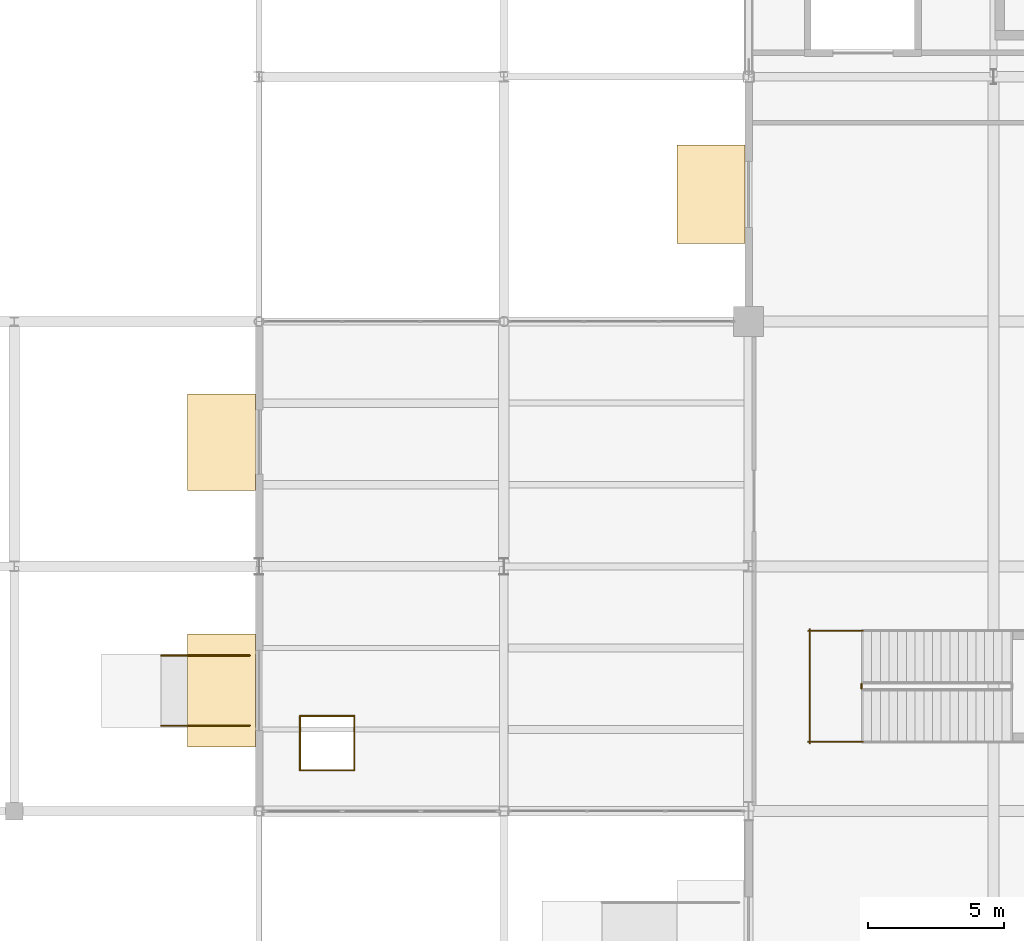
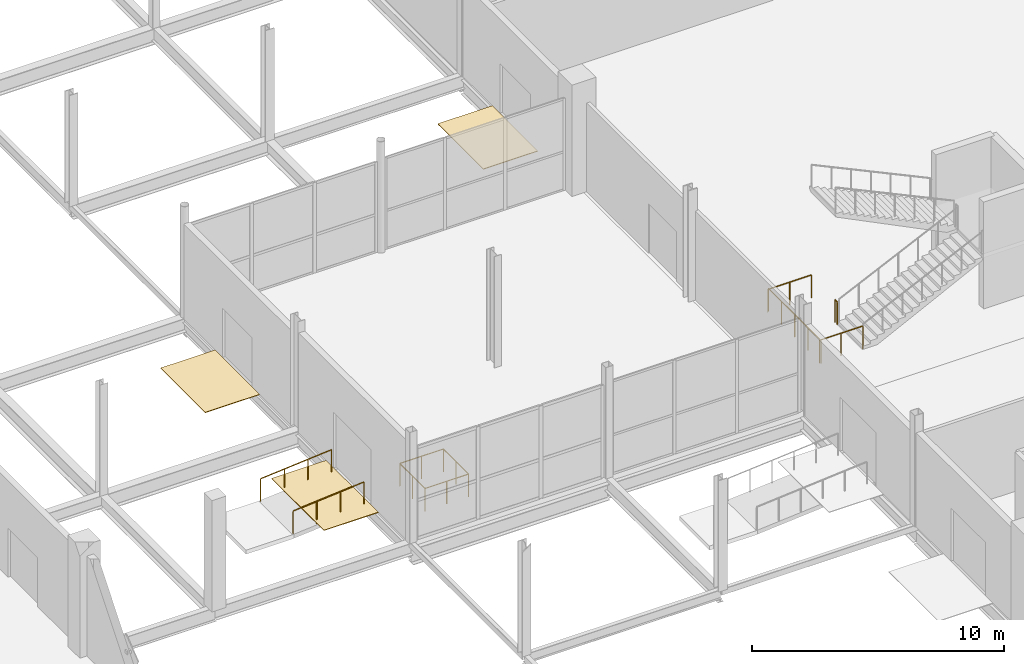
# One storey, part 85 of 94: 10 railings, 3 coverings.
"""IFC4 building model written with IfcOpenShell, lengths in metres."""

from ifc_helpers import new_model, si_unit, direction, frame, origin, origin_2d, place, context, subcontext, project, spatial, rectangle, circle, extrude, material, layer, layer_set, type_object, element, save


model = new_model("IFC4")

# Units and contexts
model_context = context("Model", 3, precision=1e-05, world=origin(), true_north=direction((0.0, 1.0)))
body_context = subcontext(model_context, "Body", "Model", "MODEL_VIEW")
ifc_project = project(units=[si_unit("LENGTHUNIT", "METRE"), si_unit("AREAUNIT", "SQUARE_METRE"), si_unit("VOLUMEUNIT", "CUBIC_METRE"), si_unit("PLANEANGLEUNIT", "RADIAN"), si_unit("MASSUNIT", "GRAM", prefix="KILO")], contexts=[model_context])

# Site, building, storey
site_placement = place(None, origin())
site = spatial("IfcSite", under=ifc_project, at=site_placement, CompositionType="ELEMENT")
building_placement = place(site_placement, origin())
building = spatial("IfcBuilding", under=site, at=building_placement, Name="Qamarlyn Nura Convention Centre", CompositionType="ELEMENT")
storey_placement = place(building_placement, origin())
storey = spatial("IfcBuildingStorey", under=building, at=storey_placement, Name="L00", CompositionType="ELEMENT", Elevation=0.0)

# Coverings
ifc_material_1 = material(Name="Polished coastal aggregate terrazzo")
ifc_layer = layer(ifc_material_1, 0.030029296875, Name="COV-FLOOR-TERR")
ifc_layer_set = layer_set([ifc_layer], Name="Polished coastal aggregate terrazzo")
covering_type = type_object("IfcCoveringType", Name="COV-FLOOR-TERR", PredefinedType="FLOORING", material=ifc_layer_set)
covering_1_placement = place(storey_placement, frame((133.610107421875, 31.434814453125, -0.02978515625), z_axis=(0.0, 0.0, 1.0), x_axis=(0.0, 1.0, 0.0)))
element("IfcCovering", 1, at=covering_1_placement, inside=storey, type_object=covering_type, Name="Exterior exit threshold apron E-48", PredefinedType="FLOORING", context=body_context, shape_type="SweptSolid", body=[
    extrude(rectangle(XDim=4.14990234375, YDim=2.5, at=origin_2d()), origin(), (0.0, 0.0, 1.0), 0.030029296875),
])
covering_2_placement = place(storey_placement, frame((133.610107421875, 40.563720703125, -0.02978515625), z_axis=(0.0, 0.0, 1.0), x_axis=(0.0, 1.0, 0.0)))
element("IfcCovering", 2, at=covering_2_placement, inside=storey, type_object=covering_type, Name="Exterior exit threshold apron E-49", PredefinedType="FLOORING", context=body_context, shape_type="SweptSolid", body=[
    extrude(rectangle(XDim=3.550048828125, YDim=2.5, at=origin_2d()), origin(), (0.0, 0.0, 1.0), 0.030029296875),
])
covering_3_placement = place(storey_placement, frame((151.610107421875, 49.675048828125, -0.02978515625), z_axis=(0.0, 0.0, 1.0), x_axis=(0.0, 1.0, 0.0)))
element("IfcCovering", 3, at=covering_3_placement, inside=storey, type_object=covering_type, Name="Exterior exit threshold apron E-50", PredefinedType="FLOORING", context=body_context, shape_type="SweptSolid", body=[
    extrude(rectangle(XDim=3.6201171875, YDim=2.5, at=origin_2d()), origin(), (0.0, 0.0, 1.0), 0.030029296875),
])

# Railings
ifc_material_2 = material(Name="Marine Grade 316 stainless steel", Category="steel")
railing_type_1 = type_object("IfcRailingType", Name="GRD-STAIR-112", PredefinedType="BALUSTRADE", material=ifc_material_2)
railing_1_placement = place(storey_placement, frame((157.14990234375, 31.5, 0.0)))
element("IfcRailing", 4, at=railing_1_placement, inside=storey, type_object=railing_type_1, Name="L00 ST-20 stair guard 7", PredefinedType="BALUSTRADE", context=body_context, shape_type="SweptSolid", body=[
    extrude(circle(Radius=0.02392578125, at=origin_2d()), frame((0.0, 0.0, 1.09619140625), z_axis=(0.0, 1.0, 0.0), x_axis=(-1.0, 0.0, 0.0)), (0.0, 0.0, 1.0), 0.179931640625),
    extrude(circle(Radius=0.02099609375, at=origin_2d()), origin(), (0.0, 0.0, 1.0), 1.070068359375),
    extrude(circle(Radius=0.02099609375, at=origin_2d()), frame((0.0, 0.179931640625, 0.0)), (0.0, 0.0, 1.0), 1.070068359375),
])
for number, where, name in (
    (5, (155.199951171875, 29.550048828125, 0.0), "L00 ST-20 stair guard 8"),
    (6, (155.199951171875, 33.6298828125, 0.0), "L00 ST-20 stair guard 9"),
):
    element("IfcRailing", number, at=place(storey_placement, frame(where)), inside=storey, type_object=railing_type_1, Name=name, PredefinedType="BALUSTRADE", context=body_context, shape_type="SweptSolid", body=[
        extrude(circle(Radius=0.02392578125, at=origin_2d()), frame((0.0, 0.0, 1.09619140625), z_axis=(1.0, 0.0, 0.0), x_axis=(0.0, 1.0, 0.0)), (0.0, 0.0, 1.0), 2.0),
        extrude(circle(Radius=0.02099609375, at=origin_2d()), origin(), (0.0, 0.0, 1.0), 1.070068359375),
        extrude(circle(Radius=0.02099609375, at=origin_2d()), frame((1.0, 0.0, 0.0)), (0.0, 0.0, 1.0), 1.070068359375),
        extrude(circle(Radius=0.02099609375, at=origin_2d()), frame((2.0, 0.0, 0.0)), (0.0, 0.0, 1.0), 1.070068359375),
    ])
railing_2_placement = place(storey_placement, frame((155.25, 29.5, 0.0)))
element("IfcRailing", 7, at=railing_2_placement, inside=storey, type_object=railing_type_1, Name="L00 ST-20 stair guard 10", PredefinedType="BALUSTRADE", context=body_context, shape_type="SweptSolid", body=[
    extrude(circle(Radius=0.02392578125, at=origin_2d()), frame((0.0, 0.0, 1.09619140625), z_axis=(0.0, 1.0, 0.0), x_axis=(-1.0, 0.0, 0.0)), (0.0, 0.0, 1.0), 4.179931640625),
    extrude(circle(Radius=0.02099609375, at=origin_2d()), origin(), (0.0, 0.0, 1.0), 1.070068359375),
    extrude(circle(Radius=0.02099609375, at=origin_2d()), frame((0.0, 1.044921875, 0.0)), (0.0, 0.0, 1.0), 1.070068359375),
    extrude(circle(Radius=0.02099609375, at=origin_2d()), frame((0.0, 2.08984375, 0.0)), (0.0, 0.0, 1.0), 1.070068359375),
    extrude(circle(Radius=0.02099609375, at=origin_2d()), frame((0.0, 3.135009765625, 0.0)), (0.0, 0.0, 1.0), 1.070068359375),
    extrude(circle(Radius=0.02099609375, at=origin_2d()), frame((0.0, 4.179931640625, 0.0)), (0.0, 0.0, 1.0), 1.070068359375),
])
for number, where, name in (
    (8, (131.39990234375, 32.719970703125, -0.300048828125), "Passage Concourse accessible entrance ramp PR-02 side guard L"),
    (9, (131.39990234375, 30.139892578125, -0.300048828125), "Passage Concourse accessible entrance ramp PR-02 side guard R"),
):
    element("IfcRailing", number, at=place(storey_placement, frame(where)), inside=storey, type_object=railing_type_1, Name=name, PredefinedType="BALUSTRADE", context=body_context, shape_type="SweptSolid", body=[
        extrude(circle(Radius=0.02392578125, at=origin_2d()), frame((0.0, 0.0, 1.09619140625), z_axis=(0.996547823064, 0.0, 0.083020698301), x_axis=(0.0, 1.0, 0.0)), (0.0, 0.0, 1.0), 3.26123046875),
        extrude(circle(Radius=0.02099609375, at=origin_2d()), origin(), (0.0, 0.0, 1.0), 1.070068359375),
        extrude(circle(Radius=0.02099609375, at=origin_2d()), frame((1.083251953125, 0.0, 0.09033203125)), (0.0, 0.0, 1.0), 1.070068359375),
        extrude(circle(Radius=0.02099609375, at=origin_2d()), frame((2.166748046875, 0.0, 0.180419921875)), (0.0, 0.0, 1.0), 1.070068359375),
        extrude(circle(Radius=0.02099609375, at=origin_2d()), frame((3.25, 0.0, 0.270751953125)), (0.0, 0.0, 1.0), 1.070068359375),
    ])
railing_type_2 = type_object("IfcRailingType", Name="GRD-VOID-112", PredefinedType="BALUSTRADE", material=ifc_material_2)
railing_3_placement = place(storey_placement, frame((136.5, 30.5, 0.0)))
element("IfcRailing", 10, at=railing_3_placement, inside=storey, type_object=railing_type_2, Name="L00 slab edge balustrade guard 036", PredefinedType="BALUSTRADE", context=body_context, shape_type="SweptSolid", body=[
    extrude(circle(Radius=0.02392578125, at=origin_2d()), frame((0.0, 0.0, 1.09619140625), z_axis=(0.0, -1.0, 0.0), x_axis=(1.0, 0.0, 0.0)), (0.0, 0.0, 1.0), 2.0),
    extrude(circle(Radius=0.02099609375, at=origin_2d()), origin(), (0.0, 0.0, 1.0), 1.070068359375),
    extrude(circle(Radius=0.02099609375, at=origin_2d()), frame((0.0, -1.0, 0.0)), (0.0, 0.0, 1.0), 1.070068359375),
    extrude(circle(Radius=0.02099609375, at=origin_2d()), frame((0.0, -2.0, 0.0)), (0.0, 0.0, 1.0), 1.070068359375),
])
railing_4_placement = place(storey_placement, frame((136.5, 28.5, 0.0)))
element("IfcRailing", 11, at=railing_4_placement, inside=storey, type_object=railing_type_2, Name="L00 slab edge balustrade guard 037", PredefinedType="BALUSTRADE", context=body_context, shape_type="SweptSolid", body=[
    extrude(circle(Radius=0.02392578125, at=origin_2d()), frame((0.0, 0.0, 1.09619140625), z_axis=(1.0, 0.0, 0.0), x_axis=(0.0, 1.0, 0.0)), (0.0, 0.0, 1.0), 2.0),
    extrude(circle(Radius=0.02099609375, at=origin_2d()), origin(), (0.0, 0.0, 1.0), 1.070068359375),
    extrude(circle(Radius=0.02099609375, at=origin_2d()), frame((1.0, 0.0, 0.0)), (0.0, 0.0, 1.0), 1.070068359375),
    extrude(circle(Radius=0.02099609375, at=origin_2d()), frame((2.0, 0.0, 0.0)), (0.0, 0.0, 1.0), 1.070068359375),
])
railing_5_placement = place(storey_placement, frame((138.5, 28.5, 0.0)))
element("IfcRailing", 12, at=railing_5_placement, inside=storey, type_object=railing_type_2, Name="L00 slab edge balustrade guard 038", PredefinedType="BALUSTRADE", context=body_context, shape_type="SweptSolid", body=[
    extrude(circle(Radius=0.02392578125, at=origin_2d()), frame((0.0, 0.0, 1.09619140625), z_axis=(0.0, 1.0, 0.0), x_axis=(-1.0, 0.0, 0.0)), (0.0, 0.0, 1.0), 2.0),
    extrude(circle(Radius=0.02099609375, at=origin_2d()), origin(), (0.0, 0.0, 1.0), 1.070068359375),
    extrude(circle(Radius=0.02099609375, at=origin_2d()), frame((0.0, 1.0, 0.0)), (0.0, 0.0, 1.0), 1.070068359375),
    extrude(circle(Radius=0.02099609375, at=origin_2d()), frame((0.0, 2.0, 0.0)), (0.0, 0.0, 1.0), 1.070068359375),
])
railing_6_placement = place(storey_placement, frame((138.5, 30.5, 0.0)))
element("IfcRailing", 13, at=railing_6_placement, inside=storey, type_object=railing_type_2, Name="L00 slab edge balustrade guard 039", PredefinedType="BALUSTRADE", context=body_context, shape_type="SweptSolid", body=[
    extrude(circle(Radius=0.02392578125, at=origin_2d()), frame((0.0, 0.0, 1.09619140625), z_axis=(-1.0, 0.0, 0.0), x_axis=(0.0, -1.0, 0.0)), (0.0, 0.0, 1.0), 2.0),
    extrude(circle(Radius=0.02099609375, at=origin_2d()), origin(), (0.0, 0.0, 1.0), 1.070068359375),
    extrude(circle(Radius=0.02099609375, at=origin_2d()), frame((-1.0, 0.0, 0.0)), (0.0, 0.0, 1.0), 1.070068359375),
    extrude(circle(Radius=0.02099609375, at=origin_2d()), frame((-2.0, 0.0, 0.0)), (0.0, 0.0, 1.0), 1.070068359375),
])

save(model, "model.ifc")
